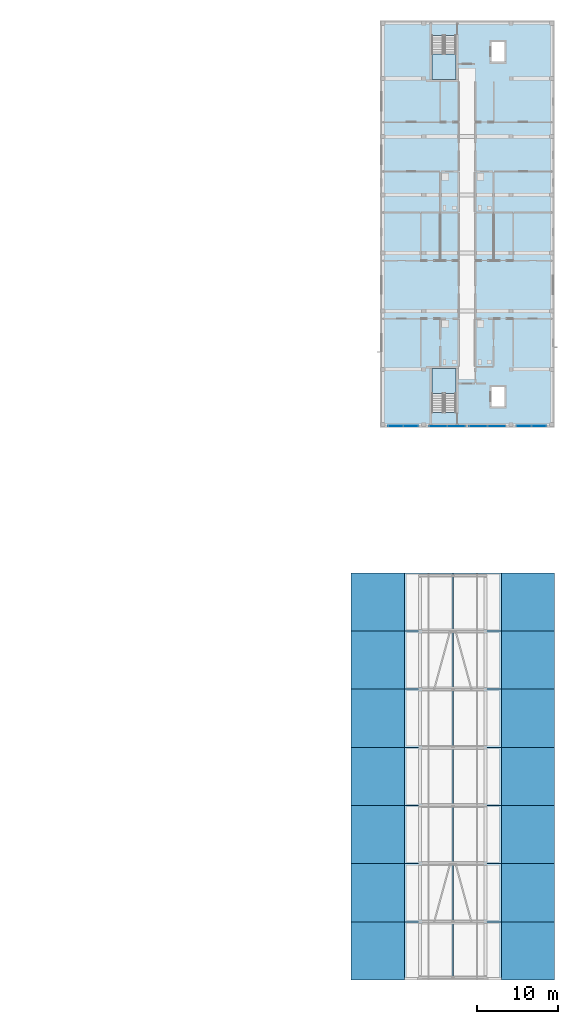
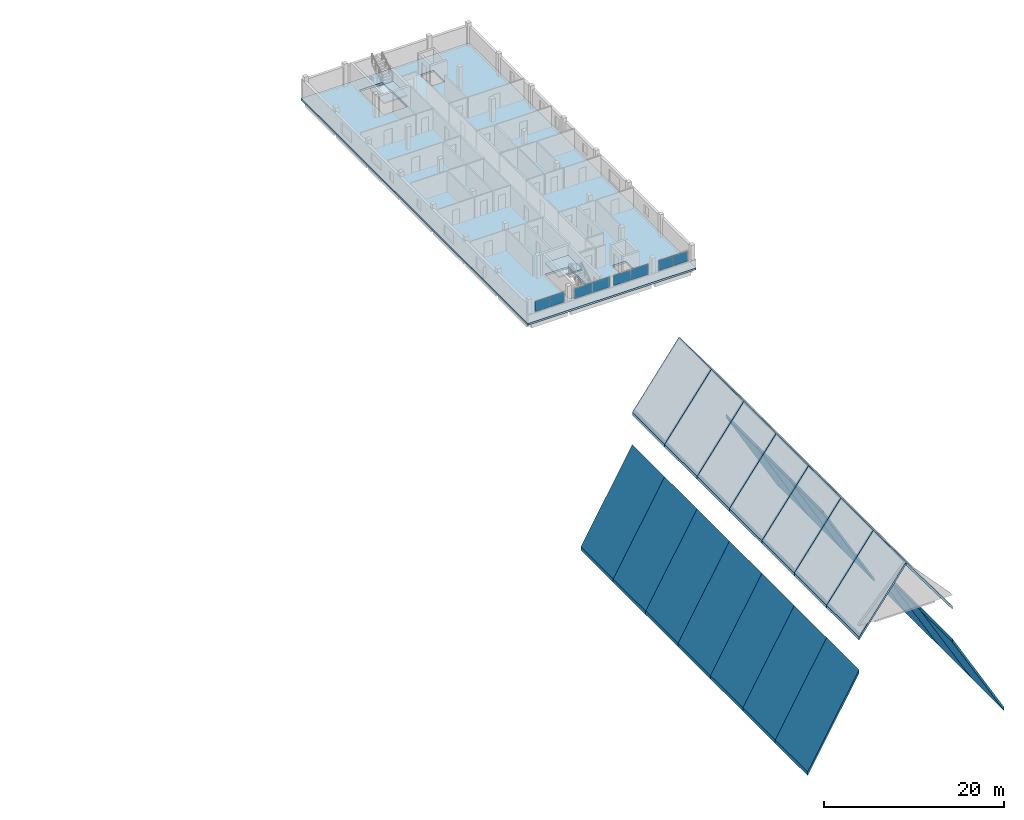
# One storey, part 11 of 29: 31 slabs, 8 plates, 7 elements without a shape of their own.
"""IFC4 building model written with IfcOpenShell, lengths in metres."""

from ifc_helpers import new_model, si_unit, derived_unit, direction, frame, origin, origin_2d, place, context, subcontext, project, spatial, polyline, rectangle, outline, extrude, material, layer, layer_set, type_object, element, aggregate, save


model = new_model("IFC4")

# Units and contexts
model_context = context("Model", 3, precision=1e-05, world=origin(), true_north=direction((0.0, 1.0)))
body_context = subcontext(model_context, "Body", "Model", "MODEL_VIEW")
ifc_project = project(units=[si_unit("LENGTHUNIT", "METRE"), si_unit("AREAUNIT", "SQUARE_METRE"), si_unit("VOLUMEUNIT", "CUBIC_METRE"), si_unit("PLANEANGLEUNIT", "RADIAN"), si_unit("MASSUNIT", "GRAM", prefix="KILO"), derived_unit("THERMALTRANSMITTANCEUNIT", [(si_unit("MASSUNIT", "GRAM", prefix="KILO"), 1), (si_unit("TIMEUNIT", "SECOND"), -3), (si_unit("THERMODYNAMICTEMPERATUREUNIT", "KELVIN"), -1)])], contexts=[model_context])

# Site, building, storey
site_placement = place(None, origin())
site = spatial("IfcSite", under=ifc_project, at=site_placement, CompositionType="ELEMENT")
building_placement = place(site_placement, origin())
building = spatial("IfcBuilding", under=site, at=building_placement, Name="Ochrekiln Boulevard Commons", CompositionType="ELEMENT")
storey_placement = place(building_placement, frame((0.0, 0.0, 37.27490234375)))
storey = spatial("IfcBuildingStorey", under=building, at=storey_placement, Name="L11", CompositionType="ELEMENT", Elevation=37.27490234375)

# Curtain wall, plates
ifc_material_1 = material(Name="Bronze-anodized extruded aluminium 6063-T6", Category="aluminium")
ifc_layer_1 = layer(ifc_material_1, 0.18408203125)
ifc_layer_set_1 = layer_set([ifc_layer_1], Name="Bronze-anodized extruded aluminium 6063-T6")
curtain_wall_type = type_object("IfcCurtainWallType", Name="CW-GABLE-B", PredefinedType="USERDEFINED", material=ifc_layer_set_1)
curtain_wall_1_placement = place(storey_placement, origin())
curtain_wall_1 = element("IfcCurtainWall", 1, at=curtain_wall_1_placement, inside=storey, type_object=curtain_wall_type, Name="Block B L11 Courtyard Glazed Gable Curtain Wall 2", ObjectType="GLAZED CURTAIN WALL", PredefinedType="USERDEFINED")
ifc_material_2 = material(Name="Spectrally selective low-E insulated glazing", Category="glass")
ifc_layer_2 = layer(ifc_material_2, 0.02392578125)
ifc_layer_set_2 = layer_set([ifc_layer_2], Name="Spectrally selective low-E insulated glazing")
plate_type_1 = type_object("IfcPlateType", Name="CWP-GLZ-1", PredefinedType="CURTAIN_PANEL", material=ifc_layer_set_2)
plate_1_placement = place(storey_placement, frame((158.38134765625, 68.570068359375, 1.1748046875), z_axis=(0.0, 0.0, 1.0), x_axis=(1.0, 0.0, 0.0)))
plate_1 = element("IfcPlate", 2, at=plate_1_placement, type_object=plate_type_1, Name="CW-02 panel 1.1", PredefinedType="CURTAIN_PANEL", context=body_context, shape_type="SweptSolid", body=[
    extrude(rectangle(XDim=2.1923828125, YDim=0.02392578125, at=origin_2d()), origin(), (0.0, 0.0, 1.0), 1.360107421875),
])
plate_2_placement = place(storey_placement, frame((160.638671875, 68.570068359375, 1.1748046875), z_axis=(0.0, 0.0, 1.0), x_axis=(1.0, 0.0, 0.0)))
plate_2 = element("IfcPlate", 3, at=plate_2_placement, type_object=plate_type_1, Name="CW-02 panel 2.1", PredefinedType="CURTAIN_PANEL", context=body_context, shape_type="SweptSolid", body=[
    extrude(rectangle(XDim=2.1923828125, YDim=0.02392578125, at=origin_2d()), origin(), (0.0, 0.0, 1.0), 1.360107421875),
])
aggregate(curtain_wall_1, [plate_1, plate_2])

curtain_wall_2_placement = place(storey_placement, origin())
curtain_wall_2 = element("IfcCurtainWall", 4, at=curtain_wall_2_placement, inside=storey, type_object=curtain_wall_type, Name="Block B L11 Courtyard Glazed Gable Curtain Wall 3", ObjectType="GLAZED CURTAIN WALL", PredefinedType="USERDEFINED")
ifc_layer_3 = layer(ifc_material_2, 0.030029296875)
ifc_layer_set_3 = layer_set([ifc_layer_3], Name="Spectrally selective low-E insulated glazing")
plate_type_2 = type_object("IfcPlateType", Name="CWP-GLZ-2", PredefinedType="CURTAIN_PANEL", material=ifc_layer_set_3)
plate_3_placement = place(storey_placement, frame((163.360107421875, 68.570068359375, 1.169921875), z_axis=(0.0, 0.0, 1.0), x_axis=(1.0, 0.0, 0.0)))
plate_3 = element("IfcPlate", 5, at=plate_3_placement, type_object=plate_type_2, Name="CW-02 panel 1.1", PredefinedType="CURTAIN_PANEL", context=body_context, shape_type="SweptSolid", body=[
    extrude(rectangle(XDim=2.199951171875, YDim=0.030029296875, at=origin_2d()), origin(), (0.0, 0.0, 1.0), 1.3701171875),
])
plate_4_placement = place(storey_placement, frame((165.6201171875, 68.570068359375, 1.169921875), z_axis=(0.0, 0.0, 1.0), x_axis=(1.0, 0.0, 0.0)))
plate_4 = element("IfcPlate", 6, at=plate_4_placement, type_object=plate_type_2, Name="CW-02 panel 2.1", PredefinedType="CURTAIN_PANEL", context=body_context, shape_type="SweptSolid", body=[
    extrude(rectangle(XDim=2.199951171875, YDim=0.030029296875, at=origin_2d()), origin(), (0.0, 0.0, 1.0), 1.3701171875),
])
aggregate(curtain_wall_2, [plate_3, plate_4])

curtain_wall_3_placement = place(storey_placement, origin())
curtain_wall_3 = element("IfcCurtainWall", 7, at=curtain_wall_3_placement, inside=storey, type_object=curtain_wall_type, Name="Block B L11 Courtyard Glazed Gable Curtain Wall 4", ObjectType="GLAZED CURTAIN WALL", PredefinedType="USERDEFINED")
ifc_layer_4 = layer(ifc_material_2, 0.035888671875)
ifc_layer_set_4 = layer_set([ifc_layer_4], Name="Spectrally selective low-E insulated glazing")
plate_type_3 = type_object("IfcPlateType", Name="CWP-GLZ-3", PredefinedType="CURTAIN_PANEL", material=ifc_layer_set_4)
plate_5_placement = place(storey_placement, frame((168.98876953125, 68.570068359375, 1.1748046875), z_axis=(0.0, 0.0, 1.0), x_axis=(1.0, 0.0, 0.0)))
plate_5 = element("IfcPlate", 8, at=plate_5_placement, type_object=plate_type_3, Name="CW-02 panel 1.1", PredefinedType="CURTAIN_PANEL", context=body_context, shape_type="SweptSolid", body=[
    extrude(rectangle(XDim=1.8076171875, YDim=0.035888671875, at=origin_2d()), origin(), (0.0, 0.0, 1.0), 1.360107421875),
])
plate_6_placement = place(storey_placement, frame((170.861328125, 68.570068359375, 1.1748046875), z_axis=(0.0, 0.0, 1.0), x_axis=(1.0, 0.0, 0.0)))
plate_6 = element("IfcPlate", 9, at=plate_6_placement, type_object=plate_type_3, Name="CW-02 panel 2.1", PredefinedType="CURTAIN_PANEL", context=body_context, shape_type="SweptSolid", body=[
    extrude(rectangle(XDim=1.8076171875, YDim=0.035888671875, at=origin_2d()), origin(), (0.0, 0.0, 1.0), 1.360107421875),
])
aggregate(curtain_wall_3, [plate_5, plate_6])

curtain_wall_4_placement = place(storey_placement, origin())
curtain_wall_4 = element("IfcCurtainWall", 10, at=curtain_wall_4_placement, inside=storey, type_object=curtain_wall_type, Name="Block B L11 Courtyard Glazed Gable Curtain Wall 1", ObjectType="GLAZED CURTAIN WALL", PredefinedType="USERDEFINED")
ifc_layer_5 = layer(ifc_material_2, 0.0419921875)
ifc_layer_set_5 = layer_set([ifc_layer_5], Name="Spectrally selective low-E insulated glazing")
plate_type_4 = type_object("IfcPlateType", Name="CWP-GLZ-4", PredefinedType="CURTAIN_PANEL", material=ifc_layer_set_5)
plate_7_placement = place(storey_placement, frame((153.137451171875, 68.570068359375, 1.169921875), z_axis=(0.0, 0.0, 1.0), x_axis=(1.0, 0.0, 0.0)))
plate_7 = element("IfcPlate", 11, at=plate_7_placement, type_object=plate_type_4, Name="CW-02 panel 1.1", PredefinedType="CURTAIN_PANEL", context=body_context, shape_type="SweptSolid", body=[
    extrude(rectangle(XDim=1.81494140625, YDim=0.0419921875, at=origin_2d()), origin(), (0.0, 0.0, 1.0), 1.3701171875),
])
plate_8_placement = place(storey_placement, frame((155.012451171875, 68.570068359375, 1.169921875), z_axis=(0.0, 0.0, 1.0), x_axis=(1.0, 0.0, 0.0)))
plate_8 = element("IfcPlate", 12, at=plate_8_placement, type_object=plate_type_4, Name="CW-02 panel 2.1", PredefinedType="CURTAIN_PANEL", context=body_context, shape_type="SweptSolid", body=[
    extrude(rectangle(XDim=1.81494140625, YDim=0.0419921875, at=origin_2d()), origin(), (0.0, 0.0, 1.0), 1.3701171875),
])
aggregate(curtain_wall_4, [plate_7, plate_8])

# Roof, slabs
ifc_material_3 = material(Name="Concrete C35/45", Category="concrete")
roof_type = type_object("IfcRoofType", Name="ROOF-GABLE", PredefinedType="GABLE_ROOF", material=ifc_material_3)
roof_placement = place(storey_placement, origin())
roof = element("IfcRoof", 13, at=roof_placement, inside=storey, type_object=roof_type, Name="Block C Two-Storey Steep Solar Gable Roof", PredefinedType="GABLE_ROOF")
ifc_layer_6 = layer(ifc_material_3, 0.239990234375)
ifc_layer_set_6 = layer_set([ifc_layer_6], Name="Concrete C35/45")
slab_type_1 = type_object("IfcSlabType", Name="SLB-GABLE-240", PredefinedType="ROOF", material=ifc_layer_set_6)
slab_1_placement = place(storey_placement, frame((154.199951171875, 7.199951171875, -2.14990234375), z_axis=(0.0, -1.0, 0.0), x_axis=(1.0, 0.0, 0.0)))
slab_1 = element("IfcSlab", 14, at=slab_1_placement, type_object=slab_type_1, Name="Block C Solar Gable Roof Slab 1W", PredefinedType="ROOF", context=body_context, shape_type="SweptSolid", body=[
    extrude(outline(polyline([(0.0, 0.0), (6.0, 8.10009765625), (6.0, 7.69677734375), (0.0, -0.4033203125), (0.0, 0.0)])), origin(), (0.0, 0.0, 1.0), 7.199951171875),
])
slab_2_placement = place(storey_placement, frame((166.199951171875, 0.0, -2.14990234375), z_axis=(0.0, 1.0, 0.0), x_axis=(-1.0, 0.0, 0.0)))
slab_2 = element("IfcSlab", 15, at=slab_2_placement, type_object=slab_type_1, Name="Block C Solar Gable Roof Slab 1E", PredefinedType="ROOF", context=body_context, shape_type="SweptSolid", body=[
    extrude(outline(polyline([(0.0, 0.0), (6.0, 8.10009765625), (6.0, 7.69677734375), (0.0, -0.4033203125), (0.0, 0.0)])), origin(), (0.0, 0.0, 1.0), 7.199951171875),
])
slab_3_placement = place(storey_placement, frame((154.199951171875, 14.39990234375, -2.14990234375), z_axis=(0.0, -1.0, 0.0), x_axis=(1.0, 0.0, 0.0)))
slab_3 = element("IfcSlab", 16, at=slab_3_placement, type_object=slab_type_1, Name="Block C Solar Gable Roof Slab 2W", PredefinedType="ROOF", context=body_context, shape_type="SweptSolid", body=[
    extrude(outline(polyline([(0.0, 0.0), (6.0, 8.10009765625), (6.0, 7.69677734375), (0.0, -0.4033203125), (0.0, 0.0)])), origin(), (0.0, 0.0, 1.0), 7.199951171875),
])
slab_4_placement = place(storey_placement, frame((166.199951171875, 7.199951171875, -2.14990234375), z_axis=(0.0, 1.0, 0.0), x_axis=(-1.0, 0.0, 0.0)))
slab_4 = element("IfcSlab", 17, at=slab_4_placement, type_object=slab_type_1, Name="Block C Solar Gable Roof Slab 2E", PredefinedType="ROOF", context=body_context, shape_type="SweptSolid", body=[
    extrude(outline(polyline([(0.0, 0.0), (6.0, 8.10009765625), (6.0, 7.69677734375), (0.0, -0.4033203125), (0.0, 0.0)])), origin(), (0.0, 0.0, 1.0), 7.199951171875),
])
slab_5_placement = place(storey_placement, frame((154.199951171875, 21.60009765625, -2.14990234375), z_axis=(0.0, -1.0, 0.0), x_axis=(1.0, 0.0, 0.0)))
slab_5 = element("IfcSlab", 18, at=slab_5_placement, type_object=slab_type_1, Name="Block C Solar Gable Roof Slab 3W", PredefinedType="ROOF", context=body_context, shape_type="SweptSolid", body=[
    extrude(outline(polyline([(0.0, 0.0), (6.0, 8.10009765625), (6.0, 7.69677734375), (0.0, -0.4033203125), (0.0, 0.0)])), origin(), (0.0, 0.0, 1.0), 7.199951171875),
])
slab_6_placement = place(storey_placement, frame((166.199951171875, 14.39990234375, -2.14990234375), z_axis=(0.0, 1.0, 0.0), x_axis=(-1.0, 0.0, 0.0)))
slab_6 = element("IfcSlab", 19, at=slab_6_placement, type_object=slab_type_1, Name="Block C Solar Gable Roof Slab 3E", PredefinedType="ROOF", context=body_context, shape_type="SweptSolid", body=[
    extrude(outline(polyline([(0.0, 0.0), (6.0, 8.10009765625), (6.0, 7.69677734375), (0.0, -0.4033203125), (0.0, 0.0)])), origin(), (0.0, 0.0, 1.0), 7.199951171875),
])
slab_7_placement = place(storey_placement, frame((154.199951171875, 28.800048828125, -2.14990234375), z_axis=(0.0, -1.0, 0.0), x_axis=(1.0, 0.0, 0.0)))
slab_7 = element("IfcSlab", 20, at=slab_7_placement, type_object=slab_type_1, Name="Block C Solar Gable Roof Slab 4W", PredefinedType="ROOF", context=body_context, shape_type="SweptSolid", body=[
    extrude(outline(polyline([(0.0, 0.0), (6.0, 8.10009765625), (6.0, 7.69677734375), (0.0, -0.4033203125), (0.0, 0.0)])), origin(), (0.0, 0.0, 1.0), 7.199951171875),
])
slab_8_placement = place(storey_placement, frame((166.199951171875, 21.60009765625, -2.14990234375), z_axis=(0.0, 1.0, 0.0), x_axis=(-1.0, 0.0, 0.0)))
slab_8 = element("IfcSlab", 21, at=slab_8_placement, type_object=slab_type_1, Name="Block C Solar Gable Roof Slab 4E", PredefinedType="ROOF", context=body_context, shape_type="SweptSolid", body=[
    extrude(outline(polyline([(0.0, 0.0), (6.0, 8.10009765625), (6.0, 7.69677734375), (0.0, -0.4033203125), (0.0, 0.0)])), origin(), (0.0, 0.0, 1.0), 7.199951171875),
])
slab_9_placement = place(storey_placement, frame((154.199951171875, 36.0, -2.14990234375), z_axis=(0.0, -1.0, 0.0), x_axis=(1.0, 0.0, 0.0)))
slab_9 = element("IfcSlab", 22, at=slab_9_placement, type_object=slab_type_1, Name="Block C Solar Gable Roof Slab 5W", PredefinedType="ROOF", context=body_context, shape_type="SweptSolid", body=[
    extrude(outline(polyline([(0.0, 0.0), (6.0, 8.10009765625), (6.0, 7.69677734375), (0.0, -0.4033203125), (0.0, 0.0)])), origin(), (0.0, 0.0, 1.0), 7.199951171875),
])
slab_10_placement = place(storey_placement, frame((166.199951171875, 28.800048828125, -2.14990234375), z_axis=(0.0, 1.0, 0.0), x_axis=(-1.0, 0.0, 0.0)))
slab_10 = element("IfcSlab", 23, at=slab_10_placement, type_object=slab_type_1, Name="Block C Solar Gable Roof Slab 5E", PredefinedType="ROOF", context=body_context, shape_type="SweptSolid", body=[
    extrude(outline(polyline([(0.0, 0.0), (6.0, 8.10009765625), (6.0, 7.69677734375), (0.0, -0.4033203125), (0.0, 0.0)])), origin(), (0.0, 0.0, 1.0), 7.199951171875),
])
slab_11_placement = place(storey_placement, frame((154.199951171875, 43.199951171875, -2.14990234375), z_axis=(0.0, -1.0, 0.0), x_axis=(1.0, 0.0, 0.0)))
slab_11 = element("IfcSlab", 24, at=slab_11_placement, type_object=slab_type_1, Name="Block C Solar Gable Roof Slab 6W", PredefinedType="ROOF", context=body_context, shape_type="SweptSolid", body=[
    extrude(outline(polyline([(0.0, 0.0), (6.0, 8.10009765625), (6.0, 7.69677734375), (0.0, -0.4033203125), (0.0, 0.0)])), origin(), (0.0, 0.0, 1.0), 7.199951171875),
])
slab_12_placement = place(storey_placement, frame((166.199951171875, 36.0, -2.14990234375), z_axis=(0.0, 1.0, 0.0), x_axis=(-1.0, 0.0, 0.0)))
slab_12 = element("IfcSlab", 25, at=slab_12_placement, type_object=slab_type_1, Name="Block C Solar Gable Roof Slab 6E", PredefinedType="ROOF", context=body_context, shape_type="SweptSolid", body=[
    extrude(outline(polyline([(0.0, 0.0), (6.0, 8.10009765625), (6.0, 7.69677734375), (0.0, -0.4033203125), (0.0, 0.0)])), origin(), (0.0, 0.0, 1.0), 7.199951171875),
])
slab_13_placement = place(storey_placement, frame((154.199951171875, 50.39990234375, -2.14990234375), z_axis=(0.0, -1.0, 0.0), x_axis=(1.0, 0.0, 0.0)))
slab_13 = element("IfcSlab", 26, at=slab_13_placement, type_object=slab_type_1, Name="Block C Solar Gable Roof Slab 7W", PredefinedType="ROOF", context=body_context, shape_type="SweptSolid", body=[
    extrude(outline(polyline([(0.0, 0.0), (6.0, 8.10009765625), (6.0, 7.69677734375), (0.0, -0.4033203125), (0.0, 0.0)])), origin(), (0.0, 0.0, 1.0), 7.199951171875),
])
slab_14_placement = place(storey_placement, frame((166.199951171875, 43.199951171875, -2.14990234375), z_axis=(0.0, 1.0, 0.0), x_axis=(-1.0, 0.0, 0.0)))
slab_14 = element("IfcSlab", 27, at=slab_14_placement, type_object=slab_type_1, Name="Block C Solar Gable Roof Slab 7E", PredefinedType="ROOF", context=body_context, shape_type="SweptSolid", body=[
    extrude(outline(polyline([(0.0, 0.0), (6.0, 8.10009765625), (6.0, 7.69677734375), (0.0, -0.4033203125), (0.0, 0.0)])), origin(), (0.0, 0.0, 1.0), 7.199951171875),
])
placement = place(building_placement, frame((0.0, 0.0, 27.824951171875)))
slab_15_placement = place(placement, frame((147.60009765625, 7.199951171875, -8.64990234375), z_axis=(0.0, -1.0, 0.0), x_axis=(1.0, 0.0, 0.0)))
slab_15 = element("IfcSlab", 28, at=slab_15_placement, type_object=slab_type_1, Name="Block C Mid-Height Sloped Roof Facet 1W", PredefinedType="ROOF", context=body_context, shape_type="SweptSolid", body=[
    extrude(outline(polyline([(0.0, 0.0), (6.60009765625, 11.550048828125), (6.60009765625, 11.066162109375), (0.0, -0.483642578125), (0.0, 0.0)])), origin(), (0.0, 0.0, 1.0), 7.199951171875),
])
slab_16_placement = place(placement, frame((172.800048828125, 0.0, -8.64990234375), z_axis=(0.0, 1.0, 0.0), x_axis=(-1.0, 0.0, 0.0)))
slab_16 = element("IfcSlab", 29, at=slab_16_placement, type_object=slab_type_1, Name="Block C Mid-Height Sloped Roof Facet 1E", PredefinedType="ROOF", context=body_context, shape_type="SweptSolid", body=[
    extrude(outline(polyline([(0.0, 0.0), (6.60009765625, 11.550048828125), (6.60009765625, 11.066162109375), (0.0, -0.483642578125), (0.0, 0.0)])), origin(), (0.0, 0.0, 1.0), 7.199951171875),
])
slab_17_placement = place(placement, frame((147.60009765625, 14.39990234375, -8.64990234375), z_axis=(0.0, -1.0, 0.0), x_axis=(1.0, 0.0, 0.0)))
slab_17 = element("IfcSlab", 30, at=slab_17_placement, type_object=slab_type_1, Name="Block C Mid-Height Sloped Roof Facet 2W", PredefinedType="ROOF", context=body_context, shape_type="SweptSolid", body=[
    extrude(outline(polyline([(0.0, 0.0), (6.60009765625, 11.550048828125), (6.60009765625, 11.066162109375), (0.0, -0.483642578125), (0.0, 0.0)])), origin(), (0.0, 0.0, 1.0), 7.199951171875),
])
slab_18_placement = place(placement, frame((172.800048828125, 7.199951171875, -8.64990234375), z_axis=(0.0, 1.0, 0.0), x_axis=(-1.0, 0.0, 0.0)))
slab_18 = element("IfcSlab", 31, at=slab_18_placement, type_object=slab_type_1, Name="Block C Mid-Height Sloped Roof Facet 2E", PredefinedType="ROOF", context=body_context, shape_type="SweptSolid", body=[
    extrude(outline(polyline([(0.0, 0.0), (6.60009765625, 11.550048828125), (6.60009765625, 11.066162109375), (0.0, -0.483642578125), (0.0, 0.0)])), origin(), (0.0, 0.0, 1.0), 7.199951171875),
])
slab_19_placement = place(placement, frame((147.60009765625, 21.60009765625, -8.64990234375), z_axis=(0.0, -1.0, 0.0), x_axis=(1.0, 0.0, 0.0)))
slab_19 = element("IfcSlab", 32, at=slab_19_placement, type_object=slab_type_1, Name="Block C Mid-Height Sloped Roof Facet 3W", PredefinedType="ROOF", context=body_context, shape_type="SweptSolid", body=[
    extrude(outline(polyline([(0.0, 0.0), (6.60009765625, 11.550048828125), (6.60009765625, 11.066162109375), (0.0, -0.483642578125), (0.0, 0.0)])), origin(), (0.0, 0.0, 1.0), 7.199951171875),
])
slab_20_placement = place(placement, frame((172.800048828125, 14.39990234375, -8.64990234375), z_axis=(0.0, 1.0, 0.0), x_axis=(-1.0, 0.0, 0.0)))
slab_20 = element("IfcSlab", 33, at=slab_20_placement, type_object=slab_type_1, Name="Block C Mid-Height Sloped Roof Facet 3E", PredefinedType="ROOF", context=body_context, shape_type="SweptSolid", body=[
    extrude(outline(polyline([(0.0, 0.0), (6.60009765625, 11.550048828125), (6.60009765625, 11.066162109375), (0.0, -0.483642578125), (0.0, 0.0)])), origin(), (0.0, 0.0, 1.0), 7.199951171875),
])
slab_21_placement = place(placement, frame((147.60009765625, 28.800048828125, -8.64990234375), z_axis=(0.0, -1.0, 0.0), x_axis=(1.0, 0.0, 0.0)))
slab_21 = element("IfcSlab", 34, at=slab_21_placement, type_object=slab_type_1, Name="Block C Mid-Height Sloped Roof Facet 4W", PredefinedType="ROOF", context=body_context, shape_type="SweptSolid", body=[
    extrude(outline(polyline([(0.0, 0.0), (6.60009765625, 11.550048828125), (6.60009765625, 11.066162109375), (0.0, -0.483642578125), (0.0, 0.0)])), origin(), (0.0, 0.0, 1.0), 7.199951171875),
])
slab_22_placement = place(placement, frame((172.800048828125, 21.60009765625, -8.64990234375), z_axis=(0.0, 1.0, 0.0), x_axis=(-1.0, 0.0, 0.0)))
slab_22 = element("IfcSlab", 35, at=slab_22_placement, type_object=slab_type_1, Name="Block C Mid-Height Sloped Roof Facet 4E", PredefinedType="ROOF", context=body_context, shape_type="SweptSolid", body=[
    extrude(outline(polyline([(0.0, 0.0), (6.60009765625, 11.550048828125), (6.60009765625, 11.066162109375), (0.0, -0.483642578125), (0.0, 0.0)])), origin(), (0.0, 0.0, 1.0), 7.199951171875),
])
slab_23_placement = place(placement, frame((147.60009765625, 36.0, -8.64990234375), z_axis=(0.0, -1.0, 0.0), x_axis=(1.0, 0.0, 0.0)))
slab_23 = element("IfcSlab", 36, at=slab_23_placement, type_object=slab_type_1, Name="Block C Mid-Height Sloped Roof Facet 5W", PredefinedType="ROOF", context=body_context, shape_type="SweptSolid", body=[
    extrude(outline(polyline([(0.0, 0.0), (6.60009765625, 11.550048828125), (6.60009765625, 11.066162109375), (0.0, -0.483642578125), (0.0, 0.0)])), origin(), (0.0, 0.0, 1.0), 7.199951171875),
])
slab_24_placement = place(placement, frame((172.800048828125, 28.800048828125, -8.64990234375), z_axis=(0.0, 1.0, 0.0), x_axis=(-1.0, 0.0, 0.0)))
slab_24 = element("IfcSlab", 37, at=slab_24_placement, type_object=slab_type_1, Name="Block C Mid-Height Sloped Roof Facet 5E", PredefinedType="ROOF", context=body_context, shape_type="SweptSolid", body=[
    extrude(outline(polyline([(0.0, 0.0), (6.60009765625, 11.550048828125), (6.60009765625, 11.066162109375), (0.0, -0.483642578125), (0.0, 0.0)])), origin(), (0.0, 0.0, 1.0), 7.199951171875),
])
slab_25_placement = place(placement, frame((147.60009765625, 43.199951171875, -8.64990234375), z_axis=(0.0, -1.0, 0.0), x_axis=(1.0, 0.0, 0.0)))
slab_25 = element("IfcSlab", 38, at=slab_25_placement, type_object=slab_type_1, Name="Block C Mid-Height Sloped Roof Facet 6W", PredefinedType="ROOF", context=body_context, shape_type="SweptSolid", body=[
    extrude(outline(polyline([(0.0, 0.0), (6.60009765625, 11.550048828125), (6.60009765625, 11.066162109375), (0.0, -0.483642578125), (0.0, 0.0)])), origin(), (0.0, 0.0, 1.0), 7.199951171875),
])
slab_26_placement = place(placement, frame((172.800048828125, 36.0, -8.64990234375), z_axis=(0.0, 1.0, 0.0), x_axis=(-1.0, 0.0, 0.0)))
slab_26 = element("IfcSlab", 39, at=slab_26_placement, type_object=slab_type_1, Name="Block C Mid-Height Sloped Roof Facet 6E", PredefinedType="ROOF", context=body_context, shape_type="SweptSolid", body=[
    extrude(outline(polyline([(0.0, 0.0), (6.60009765625, 11.550048828125), (6.60009765625, 11.066162109375), (0.0, -0.483642578125), (0.0, 0.0)])), origin(), (0.0, 0.0, 1.0), 7.199951171875),
])
slab_27_placement = place(placement, frame((147.60009765625, 50.39990234375, -8.64990234375), z_axis=(0.0, -1.0, 0.0), x_axis=(1.0, 0.0, 0.0)))
slab_27 = element("IfcSlab", 40, at=slab_27_placement, type_object=slab_type_1, Name="Block C Mid-Height Sloped Roof Facet 7W", PredefinedType="ROOF", context=body_context, shape_type="SweptSolid", body=[
    extrude(outline(polyline([(0.0, 0.0), (6.60009765625, 11.550048828125), (6.60009765625, 11.066162109375), (0.0, -0.483642578125), (0.0, 0.0)])), origin(), (0.0, 0.0, 1.0), 7.199951171875),
])
slab_28_placement = place(placement, frame((172.800048828125, 43.199951171875, -8.64990234375), z_axis=(0.0, 1.0, 0.0), x_axis=(-1.0, 0.0, 0.0)))
slab_28 = element("IfcSlab", 41, at=slab_28_placement, type_object=slab_type_1, Name="Block C Mid-Height Sloped Roof Facet 7E", PredefinedType="ROOF", context=body_context, shape_type="SweptSolid", body=[
    extrude(outline(polyline([(0.0, 0.0), (6.60009765625, 11.550048828125), (6.60009765625, 11.066162109375), (0.0, -0.483642578125), (0.0, 0.0)])), origin(), (0.0, 0.0, 1.0), 7.199951171875),
])
aggregate(roof, [slab_1, slab_2, slab_3, slab_4, slab_5, slab_6, slab_7, slab_8, slab_9, slab_10, slab_11, slab_12, slab_13, slab_14, slab_15, slab_16, slab_17, slab_18, slab_19, slab_20, slab_21, slab_22, slab_23, slab_24, slab_25, slab_26, slab_27, slab_28])

# Stair, slab
stair_type = type_object("IfcStairType", Name="STR-DL-315", PredefinedType="TWO_STRAIGHT_RUN_STAIR", material=ifc_material_3)
stair_1_placement = place(storey_placement, origin())
stair_1 = element("IfcStair", 42, at=stair_1_placement, inside=storey, type_object=stair_type, Name="L11 Enclosed Exit Stair ST-B1", PredefinedType="TWO_STRAIGHT_RUN_STAIR")
ifc_layer_7 = layer(ifc_material_3, 0.199951171875)
ifc_layer_set_7 = layer_set([ifc_layer_7], Name="Concrete C35/45")
slab_type_2 = type_object("IfcSlabType", Name="SLB-LND-200", PredefinedType="LANDING", material=ifc_layer_set_7)
slab_29_placement = place(storey_placement, frame((0.0, 0.0, 1.375)))
slab_29 = element("IfcSlab", 43, at=slab_29_placement, type_object=slab_type_2, Name="ST-B1 landing 1", PredefinedType="LANDING", context=body_context, shape_type="SweptSolid", body=[
    extrude(outline(polyline([(160.60009765625, 72.590087890625), (160.60009765625, 75.719970703125), (157.60009765625, 75.719970703125), (157.60009765625, 72.590087890625), (160.60009765625, 72.590087890625)])), origin(), (0.0, 0.0, 1.0), 0.2001953125),
])
aggregate(stair_1, [slab_29])

stair_2_placement = place(storey_placement, origin())
stair_2 = element("IfcStair", 44, at=stair_2_placement, inside=storey, type_object=stair_type, Name="L11 Enclosed Exit Stair ST-B2", PredefinedType="TWO_STRAIGHT_RUN_STAIR")
slab_30_placement = place(storey_placement, frame((0.0, 0.0, 1.375)))
slab_30 = element("IfcSlab", 45, at=slab_30_placement, type_object=slab_type_2, Name="ST-B2 landing 1", PredefinedType="LANDING", context=body_context, shape_type="SweptSolid", body=[
    extrude(outline(polyline([(157.60009765625, 114.610107421875), (157.60009765625, 111.47998046875), (160.60009765625, 111.47998046875), (160.60009765625, 114.610107421875), (157.60009765625, 114.610107421875)])), origin(), (0.0, 0.0, 1.0), 0.2001953125),
])
aggregate(stair_2, [slab_30])

# Slab
ifc_layer_8 = layer(ifc_material_3, 0.260009765625)
ifc_layer_set_8 = layer_set([ifc_layer_8], Name="Concrete C35/45")
slab_type_3 = type_object("IfcSlabType", Name="SLB-RES-260", PredefinedType="FLOOR", material=ifc_layer_set_8)
slab_31_placement = place(storey_placement, frame((0.0, 0.0, -0.260009765625)))
element("IfcSlab", 46, at=slab_31_placement, inside=storey, type_object=slab_type_3, Name="Block B L11 Reinforced Concrete Floor Slab", PredefinedType="FLOOR", context=body_context, shape_type="SweptSolid", body=[
    extrude(outline(polyline([(151.199951171875, 68.39990234375), (172.800048828125, 68.39990234375), (172.800048828125, 118.800048828125), (151.199951171875, 118.800048828125), (151.199951171875, 68.39990234375)]), holes=[polyline([(160.60009765625, 70.2705078125), (160.60009765625, 75.719970703125), (157.60009765625, 75.719970703125), (157.60009765625, 70.2705078125), (160.60009765625, 70.2705078125)]), polyline([(157.60009765625, 116.929443359375), (157.60009765625, 111.47998046875), (160.60009765625, 111.47998046875), (160.60009765625, 116.929443359375), (157.60009765625, 116.929443359375)]), polyline([(164.949951171875, 70.949951171875), (166.64990234375, 70.949951171875), (166.64990234375, 73.449951171875), (164.949951171875, 73.449951171875), (164.949951171875, 70.949951171875)]), polyline([(164.949951171875, 113.64990234375), (166.64990234375, 113.64990234375), (166.64990234375, 116.14990234375), (164.949951171875, 116.14990234375), (164.949951171875, 113.64990234375)])]), origin(), (0.0, 0.0, 1.0), 0.260009765625),
])

save(model, "model.ifc")
